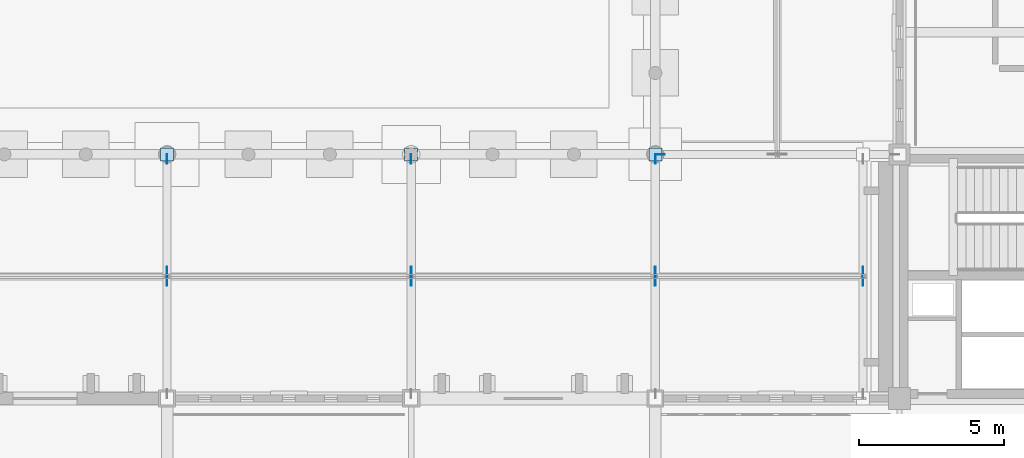
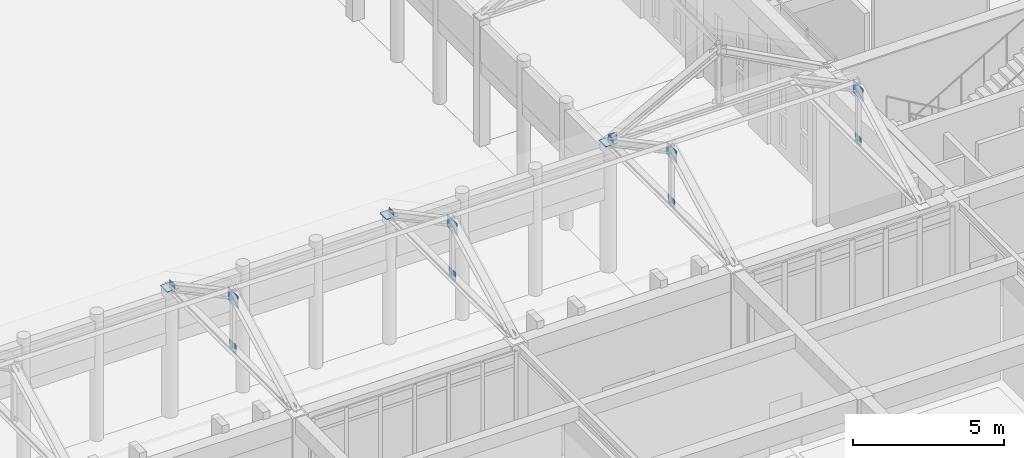
# One storey, part 94 of 143: 15 plates.
"""IFC4 building model written with IfcOpenShell, lengths in metres."""

from ifc_helpers import new_model, si_unit, direction, frame, origin, origin_2d, place, context, subcontext, project, spatial, rectangle, extrude, material, layer, layer_set, type_object, element, save


model = new_model("IFC4")

# Units and contexts
model_context = context("Model", 3, precision=1e-05, world=origin(), true_north=direction((0.0, 1.0)))
body_context = subcontext(model_context, "Body", "Model", "MODEL_VIEW")
ifc_project = project(units=[si_unit("LENGTHUNIT", "METRE"), si_unit("AREAUNIT", "SQUARE_METRE"), si_unit("VOLUMEUNIT", "CUBIC_METRE"), si_unit("PLANEANGLEUNIT", "RADIAN"), si_unit("MASSUNIT", "GRAM", prefix="KILO")], contexts=[model_context])

# Site, building, storey
site_placement = place(None, origin())
site = spatial("IfcSite", under=ifc_project, at=site_placement, CompositionType="ELEMENT")
building_placement = place(site_placement, origin())
building = spatial("IfcBuilding", under=site, at=building_placement, Name="Kveldsbrygga Polytechnic", CompositionType="ELEMENT")
storey_placement = place(building_placement, origin())
storey = spatial("IfcBuildingStorey", under=building, at=storey_placement, Name="L00", CompositionType="ELEMENT", Elevation=0.0)

# Plates
ifc_material = material(Name="Steel S355", Category="steel")
ifc_layer_1 = layer(ifc_material, 0.030029296875)
ifc_layer_set_1 = layer_set([ifc_layer_1], Name="Steel S355")
plate_type_1 = type_object("IfcPlateType", Name="CAP-BEAR-450", PredefinedType="SHEET", material=ifc_layer_set_1)
for number, where, z_axis, x_axis, name in (
    (1, (100.800048828125, 33.60009765625, 5.10986328125), (0.0, 0.0, 1.0), (1.0, 0.0, 0.0), "Truss Bearing Plate ARC-ES-T04-B"),
    (2, (109.199951171875, 33.60009765625, 5.10986328125), (0.0, 0.0, 1.0), (1.0, 0.0, 0.0), "Truss Bearing Plate ARC-ES-T05-B"),
    (3, (117.60009765625, 33.60009765625, 5.10986328125), (0.0, 0.0, 1.0), (1.0, 0.0, 0.0), "Truss Bearing Plate ARC-ES-T06-B"),
):
    element("IfcPlate", number, at=place(storey_placement, frame(where, z_axis=z_axis, x_axis=x_axis)), inside=storey, type_object=plate_type_1, Name=name, PredefinedType="SHEET", context=body_context, shape_type="SweptSolid", body=[
        extrude(rectangle(XDim=0.449951171875, YDim=0.449951171875, at=origin_2d()), origin(), (0.0, 0.0, 1.0), 0.030029296875),
    ])
ifc_layer_2 = layer(ifc_material, 0.02490234375)
ifc_layer_set_2 = layer_set([ifc_layer_2], Name="Steel S355")
plate_type_2 = type_object("IfcPlateType", Name="GUS-APEX-650", PredefinedType="SHEET", material=ifc_layer_set_2)
for number, where, z_axis, x_axis, name in (
    (4, (100.800048828125, 29.39990234375, 6.989990234375), (0.0, 0.0, 1.0), (1.0, 0.0, 0.0), "Truss Gusset Plate ARC-ES-T04-GP-1"),
    (5, (109.199951171875, 29.39990234375, 6.989990234375), (0.0, 0.0, 1.0), (1.0, 0.0, 0.0), "Truss Gusset Plate ARC-ES-T05-GP-1"),
    (6, (117.60009765625, 29.39990234375, 6.989990234375), (0.0, 0.0, 1.0), (1.0, 0.0, 0.0), "Truss Gusset Plate ARC-ES-T06-GP-1"),
    (7, (124.75, 29.39990234375, 6.989990234375), (0.0, 0.0, 1.0), (1.0, 0.0, 0.0), "Truss Gusset Plate ARC-ES-T07-GP-1"),
):
    element("IfcPlate", number, at=place(storey_placement, frame(where, z_axis=z_axis, x_axis=x_axis)), inside=storey, type_object=plate_type_2, Name=name, PredefinedType="SHEET", context=body_context, shape_type="SweptSolid", body=[
        extrude(rectangle(XDim=0.02490234375, YDim=0.64990234375, at=origin_2d()), origin(), (0.0, 0.0, 1.0), 0.5),
    ])
ifc_layer_3 = layer(ifc_material, 0.01806640625)
ifc_layer_set_3 = layer_set([ifc_layer_3], Name="Steel S355")
plate_type_3 = type_object("IfcPlateType", Name="GUS-BRACE-320", PredefinedType="SHEET", material=ifc_layer_set_3)
for number, where, z_axis, x_axis, name in (
    (8, (100.800048828125, 33.43994140625, 5.10009765625), (0.0, 0.0, 1.0), (1.0, 0.0, 0.0), "Truss Eaves Node Gusset ARC-ES-T04-EGP-B"),
    (9, (109.199951171875, 33.43994140625, 5.10009765625), (0.0, 0.0, 1.0), (1.0, 0.0, 0.0), "Truss Eaves Node Gusset ARC-ES-T05-EGP-B"),
    (10, (117.60009765625, 33.43994140625, 5.10009765625), (0.0, 0.0, 1.0), (1.0, 0.0, 0.0), "Truss Eaves Node Gusset ARC-ES-T06-EGP-B"),
):
    element("IfcPlate", number, at=place(storey_placement, frame(where, z_axis=z_axis, x_axis=x_axis)), inside=storey, type_object=plate_type_3, Name=name, PredefinedType="SHEET", context=body_context, shape_type="SweptSolid", body=[
        extrude(rectangle(XDim=0.01806640625, YDim=0.320068359375, at=origin_2d()), origin(), (0.0, 0.0, 1.0), 0.320068359375),
    ])
plate_placement = place(storey_placement, frame((117.760009765625, 33.60009765625, 5.10009765625), z_axis=(0.0, 0.0, 1.0), x_axis=(1.0, 0.0, 0.0)))
element("IfcPlate", 11, at=plate_placement, inside=storey, type_object=plate_type_3, Name="Truss Eaves Node Gusset ARC-EE-T01-EGP-A", PredefinedType="SHEET", context=body_context, shape_type="SweptSolid", body=[
    extrude(rectangle(XDim=0.320068359375, YDim=0.01806640625, at=origin_2d()), origin(), (0.0, 0.0, 1.0), 0.320068359375),
])
ifc_layer_4 = layer(ifc_material, 0.02001953125)
ifc_layer_set_4 = layer_set([ifc_layer_4], Name="Steel S355")
plate_type_4 = type_object("IfcPlateType", Name="GUS-LECT-420", PredefinedType="SHEET", material=ifc_layer_set_4)
for number, where, z_axis, x_axis, name in (
    (12, (100.800048828125, 29.39990234375, 5.0849609375), (0.0, 0.0, 1.0), (1.0, 0.0, 0.0), "Truss Bottom-Chord Node Gusset ARC-ES-T04-BGP-1"),
    (13, (109.199951171875, 29.39990234375, 5.0849609375), (0.0, 0.0, 1.0), (1.0, 0.0, 0.0), "Truss Bottom-Chord Node Gusset ARC-ES-T05-BGP-1"),
    (14, (117.60009765625, 29.39990234375, 5.0849609375), (0.0, 0.0, 1.0), (1.0, 0.0, 0.0), "Truss Bottom-Chord Node Gusset ARC-ES-T06-BGP-1"),
    (15, (124.75, 29.39990234375, 5.0849609375), (0.0, 0.0, 1.0), (1.0, 0.0, 0.0), "Truss Bottom-Chord Node Gusset ARC-ES-T07-BGP-1"),
):
    element("IfcPlate", number, at=place(storey_placement, frame(where, z_axis=z_axis, x_axis=x_axis)), inside=storey, type_object=plate_type_4, Name=name, PredefinedType="SHEET", context=body_context, shape_type="SweptSolid", body=[
        extrude(rectangle(XDim=0.02001953125, YDim=0.419921875, at=origin_2d()), origin(), (0.0, 0.0, 1.0), 0.35009765625),
    ])

save(model, "model.ifc")
